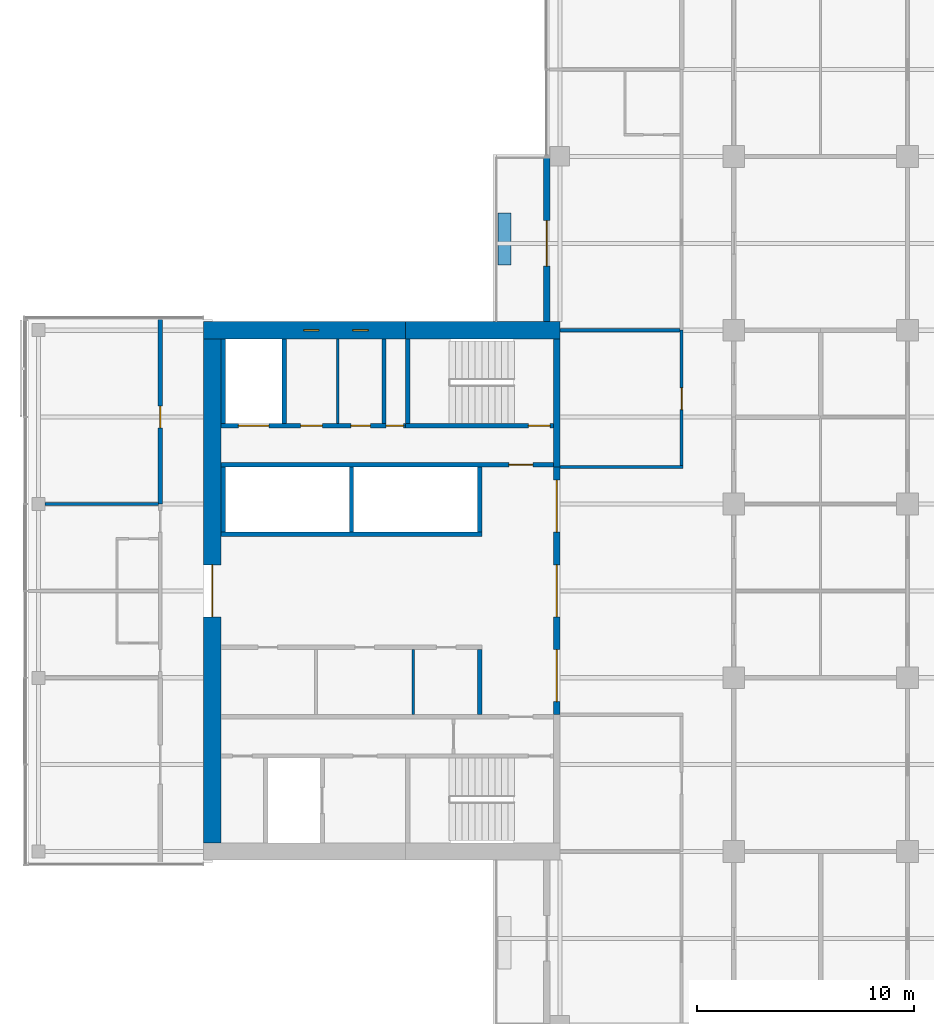
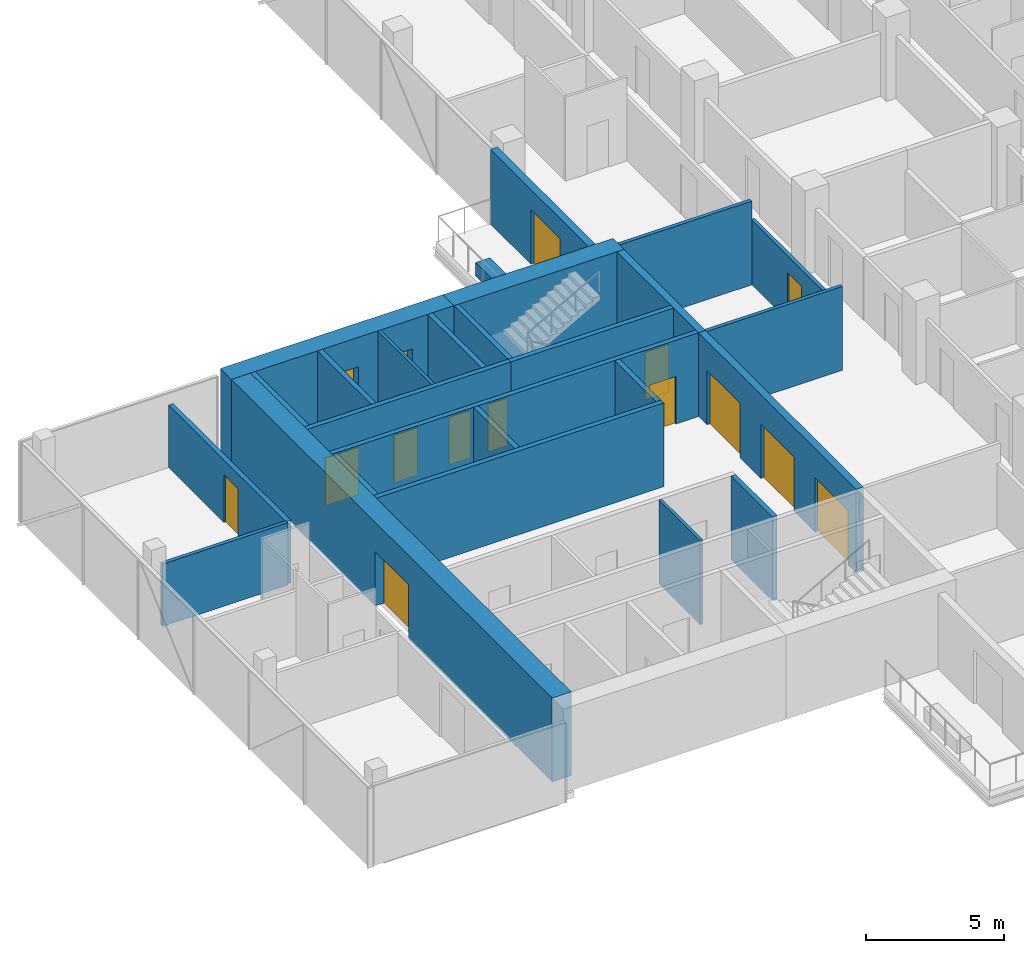
# One storey, part 18 of 27: 26 walls, 13 doors, 2 windows, 15 openings.
"""IFC4 building model written with IfcOpenShell, lengths in metres."""

from ifc_helpers import new_model, si_unit, direction, frame, frame_2d, origin, place, context, subcontext, project, spatial, rectangle, extrude, material, layer, layer_set, constituent, constituent_set, type_object, element, fill, save


model = new_model("IFC4")

# Units and contexts
model_context = context("Model", 3, precision=1e-05, world=origin(), true_north=direction((0.0, 1.0)))
body_context = subcontext(model_context, "Body", "Model", "MODEL_VIEW")
ifc_project = project(units=[si_unit("LENGTHUNIT", "METRE"), si_unit("AREAUNIT", "SQUARE_METRE"), si_unit("VOLUMEUNIT", "CUBIC_METRE"), si_unit("PLANEANGLEUNIT", "RADIAN"), si_unit("MASSUNIT", "GRAM", prefix="KILO")], contexts=[model_context])

# Site, building, storey
site_placement = place(None, origin())
site = spatial("IfcSite", under=ifc_project, at=site_placement, CompositionType="ELEMENT")
building_placement = place(site_placement, origin())
building = spatial("IfcBuilding", under=site, at=building_placement, Name="Crosswind Convention Tower", CompositionType="ELEMENT")
storey_placement = place(building_placement, frame((0.0, 0.0, 101.60009765625)))
storey = spatial("IfcBuildingStorey", under=building, at=storey_placement, Name="L20", CompositionType="ELEMENT", Elevation=101.60009765625)

# Walls
ifc_material_1 = material(Name="Concrete blockwork", Category="masonry")
ifc_layer_1 = layer(ifc_material_1, 0.199951171875)
ifc_layer_set_1 = layer_set([ifc_layer_1], Name="Blockwork partition wall 200")
wall_type_1 = type_object("IfcWallType", Name="Blockwork partition wall 200", PredefinedType="PARTITIONING", material=ifc_layer_set_1)
wall_1_placement = place(storey_placement, frame((104.89990234375, 111.60009765625, 0.0), z_axis=(0.0, 0.0, 1.0), x_axis=(0.0, -1.0, 0.0)))
element("IfcWall", 1, at=wall_1_placement, inside=storey, type_object=wall_type_1, Name="Wall MRSE W L20", PredefinedType="PARTITIONING", context=body_context, shape_type="SweptSolid", body=[
    extrude(rectangle(XDim=3.900146484375, YDim=0.199951171875, at=frame_2d((1.9501953125, 0.0))), origin(), (0.0, 0.0, 1.0), 3.699951171875),
])
ifc_material_2 = material(Name="Plasterboard partition", Category="gypsum")
ifc_layer_2 = layer(ifc_material_2, 0.14990234375)
ifc_layer_set_2 = layer_set([ifc_layer_2], Name="CORRIDOR WALL 150")
wall_type_2 = type_object("IfcWallType", Name="CORRIDOR WALL 150", PredefinedType="PARTITIONING", material=ifc_layer_set_2)
wall_2_placement = place(storey_placement, frame((113.0, 105.699951171875, 0.0), z_axis=(0.0, 0.0, 1.0), x_axis=(1.0, 0.0, 0.0)))
element("IfcWall", 2, at=wall_2_placement, inside=storey, type_object=wall_type_2, Name="Corridor Wall 31", PredefinedType="PARTITIONING", context=body_context, shape_type="SweptSolid", body=[
    extrude(rectangle(XDim=5.675048828125, YDim=0.14990234375, at=frame_2d((2.83740234375, 0.0))), origin(), (0.0, 0.0, 1.0), 3.699951171875),
])

# Wall, opening, door
wall_3_placement = place(storey_placement, frame((118.60009765625, 105.77490234375, 0.0), z_axis=(0.0, 0.0, 1.0), x_axis=(0.0, 1.0, 0.0)))
wall_3 = element("IfcWall", 3, at=wall_3_placement, inside=storey, type_object=wall_type_2, Name="Corridor Wall 60", PredefinedType="PARTITIONING", context=body_context, shape_type="SweptSolid", body=[
    extrude(rectangle(XDim=6.22509765625, YDim=0.14990234375, at=frame_2d((3.112548828125, 0.0))), origin(), (0.0, 0.0, 1.0), 2.8427734375),
])
opening_1_placement = place(wall_3_placement, frame((2.574951171875, 0.0, 0.0)))
opening_1 = element("IfcOpeningElement", 4, at=opening_1_placement, cuts=wall_3, Name="Opening 20.003", PredefinedType="OPENING", context=body_context, shape_type="SweptSolid", body=[
    extrude(rectangle(XDim=1.0, YDim=2.10009765625, at=frame_2d((0.5, 1.050048828125))), frame((0.0, 0.0849609375, 0.0), z_axis=(0.0, -1.0, 0.0), x_axis=(1.0, 0.0, 0.0)), (0.0, 0.0, 1.0), 0.169921875),
])
ifc_material_3 = material(Name="Timber fire door", Category="wood")
door_type_1 = type_object("IfcDoorType", Name="SERVICE ROOM DOOR 1000X2100", OperationType="NOTDEFINED", PredefinedType="DOOR", material=ifc_material_3)
door_1_placement = place(opening_1_placement, origin())
door_1 = element("IfcDoor", 5, at=door_1_placement, inside=storey, type_object=door_type_1, Name="Door 20.003", ObjectType="D3", OperationType="SINGLE_SWING_RIGHT", OverallHeight=2.10009765625, OverallWidth=1.0, PredefinedType="DOOR", context=body_context, shape_type="SweptSolid", body=[
    extrude(rectangle(XDim=1.0, YDim=2.10009765625, at=frame_2d((0.5, 1.050048828125))), frame((0.0, 0.02490234375, 0.0), z_axis=(0.0, -1.0, 0.0), x_axis=(1.0, 0.0, 0.0)), (0.0, 0.0, 1.0), 0.050048828125),
])
fill(opening_1, door_1)

ifc_material_4 = material(Name="Concrete C60/75", Category="concrete")
ifc_layer_3 = layer(ifc_material_4, 0.800048828125)
ifc_layer_set_3 = layer_set([ifc_layer_3], Name="Concrete C60/75")
wall_type_3 = type_object("IfcWallType", Name="Concrete core wall 800", PredefinedType="SHEAR", material=ifc_layer_set_3)
wall_4_placement = place(storey_placement, frame((97.0, 111.60009765625, 0.0), z_axis=(0.0, 0.0, 1.0), x_axis=(0.0, -1.0, 0.0)))
wall_4 = element("IfcWall", 6, at=wall_4_placement, inside=storey, type_object=wall_type_3, Name="Wall O W L20", PredefinedType="SHEAR", context=body_context, shape_type="SweptSolid", body=[
    extrude(rectangle(XDim=23.2001953125, YDim=0.800048828125, at=frame_2d((11.60009765625, 0.0))), origin(), (0.0, 0.0, 1.0), 3.699951171875),
])
opening_2_placement = place(wall_4_placement, frame((10.39990234375, 0.0, 0.0)))
opening_2 = element("IfcOpeningElement", 7, at=opening_2_placement, cuts=wall_4, Name="Opening D100", PredefinedType="OPENING", context=body_context, shape_type="SweptSolid", body=[
    extrude(rectangle(XDim=2.39990234375, YDim=2.39990234375, at=frame_2d((1.199951171875, 1.199951171875))), frame((0.0, 0.409912109375, 0.0), z_axis=(0.0, -1.0, 0.0), x_axis=(1.0, 0.0, 0.0)), (0.0, 0.0, 1.0), 0.820068359375),
])
ifc_material_5 = material(Name="Steel fire door with glazed vision panels", Category="steel")
door_type_2 = type_object("IfcDoorType", Name="Fire-rated double door 2400x2400", OperationType="DOUBLE_DOOR_SINGLE_SWING", PredefinedType="DOOR", material=ifc_material_5)
door_2_placement = place(opening_2_placement, origin())
door_2 = element("IfcDoor", 8, at=door_2_placement, inside=storey, type_object=door_type_2, Name="Lobby outer door L20", ObjectType="D100", OperationType="DOUBLE_DOOR_SINGLE_SWING", OverallHeight=2.39990234375, OverallWidth=2.39990234375, PredefinedType="DOOR", context=body_context, shape_type="SweptSolid", body=[
    extrude(rectangle(XDim=2.39990234375, YDim=2.39990234375, at=frame_2d((1.199951171875, 1.199951171875))), frame((0.0, 0.02490234375, 0.0), z_axis=(0.0, -1.0, 0.0), x_axis=(1.0, 0.0, 0.0)), (0.0, 0.0, 1.0), 0.050048828125),
])
fill(opening_2, door_2)

# Wall, openings, doors
ifc_material_6 = material(Name="Concrete C50/60", Category="concrete")
ifc_layer_4 = layer(ifc_material_6, 0.300048828125)
ifc_layer_set_4 = layer_set([ifc_layer_4], Name="Concrete C50/60")
wall_type_4 = type_object("IfcWallType", Name="Concrete inner core wall 300", PredefinedType="SHEAR", material=ifc_layer_set_4)
wall_5_placement = place(storey_placement, frame((112.85009765625, 105.699951171875, 0.0), z_axis=(0.0, 0.0, 1.0), x_axis=(0.0, -1.0, 0.0)))
wall_5 = element("IfcWall", 9, at=wall_5_placement, inside=storey, type_object=wall_type_4, Name="Wall SCR W L20", PredefinedType="SHEAR", context=body_context, shape_type="SweptSolid", body=[
    extrude(rectangle(XDim=11.39990234375, YDim=0.300048828125, at=frame_2d((5.699951171875, 0.0))), origin(), (0.0, 0.0, 1.0), 3.699951171875),
])
opening_3_placement = place(wall_5_placement, frame((0.60009765625, 0.0, 0.0)))
opening_3 = element("IfcOpeningElement", 10, at=opening_3_placement, cuts=wall_5, Name="Opening D100", PredefinedType="OPENING", context=body_context, shape_type="SweptSolid", body=[
    extrude(rectangle(XDim=2.39990234375, YDim=2.39990234375, at=frame_2d((1.199951171875, 1.199951171875))), frame((0.0, 0.159912109375, 0.0), z_axis=(0.0, -1.0, 0.0), x_axis=(1.0, 0.0, 0.0)), (0.0, 0.0, 1.0), 0.320068359375),
])
opening_4_placement = place(wall_5_placement, frame((4.5, 0.0, 0.0)))
opening_4 = element("IfcOpeningElement", 11, at=opening_4_placement, cuts=wall_5, Name="Opening D100", PredefinedType="OPENING", context=body_context, shape_type="SweptSolid", body=[
    extrude(rectangle(XDim=2.39990234375, YDim=2.39990234375, at=frame_2d((1.199951171875, 1.199951171875))), frame((0.0, 0.159912109375, 0.0), z_axis=(0.0, -1.0, 0.0), x_axis=(1.0, 0.0, 0.0)), (0.0, 0.0, 1.0), 0.320068359375),
])
opening_5_placement = place(wall_5_placement, frame((8.39990234375, 0.0, 0.0)))
opening_5 = element("IfcOpeningElement", 12, at=opening_5_placement, cuts=wall_5, Name="Opening D100", PredefinedType="OPENING", context=body_context, shape_type="SweptSolid", body=[
    extrude(rectangle(XDim=2.39990234375, YDim=2.39990234375, at=frame_2d((1.199951171875, 1.199951171875))), frame((0.0, 0.159912109375, 0.0), z_axis=(0.0, -1.0, 0.0), x_axis=(1.0, 0.0, 0.0)), (0.0, 0.0, 1.0), 0.320068359375),
])
door_3_placement = place(opening_3_placement, origin())
door_3 = element("IfcDoor", 13, at=door_3_placement, inside=storey, type_object=door_type_2, Name="Lobby door 1 L20", ObjectType="D100", OperationType="DOUBLE_DOOR_SINGLE_SWING", OverallHeight=2.39990234375, OverallWidth=2.39990234375, PredefinedType="DOOR", context=body_context, shape_type="SweptSolid", body=[
    extrude(rectangle(XDim=2.39990234375, YDim=2.39990234375, at=frame_2d((1.199951171875, 1.199951171875))), frame((0.0, 0.02490234375, 0.0), z_axis=(0.0, -1.0, 0.0), x_axis=(1.0, 0.0, 0.0)), (0.0, 0.0, 1.0), 0.050048828125),
])
fill(opening_3, door_3)
door_4_placement = place(opening_4_placement, origin())
door_4 = element("IfcDoor", 14, at=door_4_placement, inside=storey, type_object=door_type_2, Name="Lobby door 2 L20", ObjectType="D100", OperationType="DOUBLE_DOOR_SINGLE_SWING", OverallHeight=2.39990234375, OverallWidth=2.39990234375, PredefinedType="DOOR", context=body_context, shape_type="SweptSolid", body=[
    extrude(rectangle(XDim=2.39990234375, YDim=2.39990234375, at=frame_2d((1.199951171875, 1.199951171875))), frame((0.0, 0.02490234375, 0.0), z_axis=(0.0, -1.0, 0.0), x_axis=(1.0, 0.0, 0.0)), (0.0, 0.0, 1.0), 0.050048828125),
])
fill(opening_4, door_4)
door_5_placement = place(opening_5_placement, origin())
door_5 = element("IfcDoor", 15, at=door_5_placement, inside=storey, type_object=door_type_2, Name="Lobby door 3 L20", ObjectType="D100", OperationType="DOUBLE_DOOR_SINGLE_SWING", OverallHeight=2.39990234375, OverallWidth=2.39990234375, PredefinedType="DOOR", context=body_context, shape_type="SweptSolid", body=[
    extrude(rectangle(XDim=2.39990234375, YDim=2.39990234375, at=frame_2d((1.199951171875, 1.199951171875))), frame((0.0, 0.02490234375, 0.0), z_axis=(0.0, -1.0, 0.0), x_axis=(1.0, 0.0, 0.0)), (0.0, 0.0, 1.0), 0.050048828125),
])
fill(opening_5, door_5)

# Walls
wall_6_placement = place(storey_placement, frame((112.85009765625, 111.60009765625, 0.0), z_axis=(0.0, 0.0, 1.0), x_axis=(0.0, -1.0, 0.0)))
element("IfcWall", 16, at=wall_6_placement, inside=storey, type_object=wall_type_4, Name="Wall EM W L20", PredefinedType="SHEAR", context=body_context, shape_type="SweptSolid", body=[
    extrude(rectangle(XDim=5.900146484375, YDim=0.300048828125, at=frame_2d((2.9501953125, 0.0))), origin(), (0.0, 0.0, 1.0), 3.699951171875),
])
ifc_layer_5 = layer(ifc_material_6, 0.199951171875)
ifc_layer_set_5 = layer_set([ifc_layer_5], Name="Concrete C50/60")
wall_type_5 = type_object("IfcWallType", Name="Concrete shaft and stair wall 200", PredefinedType="SHEAR", material=ifc_layer_set_5)
for number, where, z_axis, x_axis, name in (
    (17, (109.300048828125, 97.300048828125, 0.0), (0.0, 0.0, 1.0), (0.0, -1.0, 0.0), "Wall RPEND W L20"),
    (18, (109.300048828125, 105.699951171875, 0.0), (0.0, 0.0, 1.0), (0.0, -1.0, 0.0), "Wall RMEND W L20"),
    (19, (103.39990234375, 105.699951171875, 0.0), (0.0, 0.0, 1.0), (0.0, -1.0, 0.0), "Wall RMSEP W L20"),
    (20, (97.5, 105.699951171875, 0.0), (0.0, 0.0, 1.0), (0.0, -1.0, 0.0), "Wall RMEAST W L20"),
):
    element("IfcWall", number, at=place(storey_placement, frame(where, z_axis=z_axis, x_axis=x_axis)), inside=storey, type_object=wall_type_5, Name=name, PredefinedType="SHEAR", context=body_context, shape_type="SweptSolid", body=[
        extrude(rectangle(XDim=3.0, YDim=0.199951171875, at=frame_2d((1.5, 0.0))), origin(), (0.0, 0.0, 1.0), 3.699951171875),
    ])
wall_7_placement = place(storey_placement, frame((109.39990234375, 102.60009765625, 0.0), z_axis=(0.0, 0.0, 1.0), x_axis=(-1.0, 0.0, 0.0)))
element("IfcWall", 21, at=wall_7_placement, inside=storey, type_object=wall_type_5, Name="Wall RMFRONT W L20", PredefinedType="SHEAR", context=body_context, shape_type="SweptSolid", body=[
    extrude(rectangle(XDim=12.0, YDim=0.199951171875, at=frame_2d((6.0, 0.0))), origin(), (0.0, 0.0, 1.0), 3.699951171875),
])

# Wall, opening, door
wall_8_placement = place(storey_placement, frame((112.699951171875, 105.800048828125, 0.0), z_axis=(0.0, 0.0, 1.0), x_axis=(-1.0, 0.0, 0.0)))
wall_8 = element("IfcWall", 22, at=wall_8_placement, inside=storey, type_object=wall_type_5, Name="Wall HM W L20", PredefinedType="SHEAR", context=body_context, shape_type="SweptSolid", body=[
    extrude(rectangle(XDim=15.300048828125, YDim=0.199951171875, at=frame_2d((7.64990234375, 0.0))), origin(), (0.0, 0.0, 1.0), 3.699951171875),
])
opening_6_placement = place(wall_8_placement, frame((0.949951171875, 0.0, 0.0)))
opening_6 = element("IfcOpeningElement", 23, at=opening_6_placement, cuts=wall_8, Name="Opening D104", PredefinedType="OPENING", context=body_context, shape_type="SweptSolid", body=[
    extrude(rectangle(XDim=1.10009765625, YDim=2.10009765625, at=frame_2d((0.550048828125, 1.050048828125))), frame((0.0, 0.10986328125, 0.0), z_axis=(0.0, -1.0, 0.0), x_axis=(1.0, 0.0, 0.0)), (0.0, 0.0, 1.0), 0.219970703125),
])
ifc_material_7 = material(Name="Steel fire door", Category="steel")
door_type_3 = type_object("IfcDoorType", Name="Fire-rated single door 1100x2100", OperationType="NOTDEFINED", PredefinedType="DOOR", material=ifc_material_7)
door_6_placement = place(opening_6_placement, origin())
door_6 = element("IfcDoor", 24, at=door_6_placement, inside=storey, type_object=door_type_3, Name="Corridor door L20", ObjectType="D104", OperationType="SINGLE_SWING_LEFT", OverallHeight=2.10009765625, OverallWidth=1.10009765625, PredefinedType="DOOR", context=body_context, shape_type="SweptSolid", body=[
    extrude(rectangle(XDim=1.10009765625, YDim=2.10009765625, at=frame_2d((0.550048828125, 1.050048828125))), frame((0.0, 0.02490234375, 0.0), z_axis=(0.0, -1.0, 0.0), x_axis=(1.0, 0.0, 0.0)), (0.0, 0.0, 1.0), 0.050048828125),
])
fill(opening_6, door_6)

# Walls
for number, where, z_axis, x_axis, name in (
    (25, (106.0, 111.60009765625, 0.0), (0.0, 0.0, 1.0), (0.0, -1.0, 0.0), "Wall MSE W L20"),
    (26, (100.300048828125, 111.60009765625, 0.0), (0.0, 0.0, 1.0), (0.0, -1.0, 0.0), "Wall MFSW W L20"),
    (27, (97.5, 111.60009765625, 0.0), (0.0, 0.0, 1.0), (0.0, -1.0, 0.0), "Wall MFSE W L20"),
):
    element("IfcWall", number, at=place(storey_placement, frame(where, z_axis=z_axis, x_axis=x_axis)), inside=storey, type_object=wall_type_5, Name=name, PredefinedType="SHEAR", context=body_context, shape_type="SweptSolid", body=[
        extrude(rectangle(XDim=3.900146484375, YDim=0.199951171875, at=frame_2d((1.9501953125, 0.0))), origin(), (0.0, 0.0, 1.0), 3.699951171875),
    ])

# Wall, opening, door
wall_9_placement = place(storey_placement, frame((112.699951171875, 107.60009765625, 0.0), z_axis=(0.0, 0.0, 1.0), x_axis=(-1.0, 0.0, 0.0)))
wall_9 = element("IfcWall", 28, at=wall_9_placement, inside=storey, type_object=wall_type_5, Name="Wall MCW W L20", PredefinedType="SHEAR", context=body_context, shape_type="SweptSolid", body=[
    extrude(rectangle(XDim=6.800048828125, YDim=0.199951171875, at=frame_2d((3.39990234375, 0.0))), origin(), (0.0, 0.0, 1.0), 3.699951171875),
])
opening_7_placement = place(wall_9_placement, frame((0.14990234375, 0.0, 0.0)))
opening_7 = element("IfcOpeningElement", 29, at=opening_7_placement, cuts=wall_9, Name="Opening D103", PredefinedType="OPENING", context=body_context, shape_type="SweptSolid", body=[
    extrude(rectangle(XDim=1.0, YDim=2.10009765625, at=frame_2d((0.5, 1.050048828125))), frame((0.0, 0.10986328125, 0.0), z_axis=(0.0, -1.0, 0.0), x_axis=(1.0, 0.0, 0.0)), (0.0, 0.0, 1.0), 0.219970703125),
])
door_type_4 = type_object("IfcDoorType", Name="Fire-rated single door 1000x2100", OperationType="NOTDEFINED", PredefinedType="DOOR", material=ifc_material_7)
door_7_placement = place(opening_7_placement, frame((1.0, 0.0, 0.0), z_axis=(0.0, 0.0, 1.0), x_axis=(-1.0, 0.0, 0.0)))
door_7 = element("IfcDoor", 30, at=door_7_placement, inside=storey, type_object=door_type_4, Name="Stair ST4 door L20", ObjectType="D103", OperationType="SINGLE_SWING_RIGHT", OverallHeight=2.10009765625, OverallWidth=1.0, PredefinedType="DOOR", context=body_context, shape_type="SweptSolid", body=[
    extrude(rectangle(XDim=1.0, YDim=2.10009765625, at=frame_2d((0.5, 1.050048828125))), frame((0.0, 0.02490234375, 0.0), z_axis=(0.0, -1.0, 0.0), x_axis=(1.0, 0.0, 0.0)), (0.0, 0.0, 1.0), 0.050048828125),
])
fill(opening_7, door_7)

# Wall, openings, doors
wall_10_placement = place(storey_placement, frame((105.89990234375, 107.60009765625, 0.0), z_axis=(0.0, 0.0, 1.0), x_axis=(-1.0, 0.0, 0.0)))
wall_10 = element("IfcWall", 31, at=wall_10_placement, inside=storey, type_object=wall_type_5, Name="Wall MCX W L20", PredefinedType="SHEAR", context=body_context, shape_type="SweptSolid", body=[
    extrude(rectangle(XDim=8.5, YDim=0.199951171875, at=frame_2d((4.25, 0.0))), origin(), (0.0, 0.0, 1.0), 3.699951171875),
])
opening_8_placement = place(wall_10_placement, frame((0.10009765625, 0.0, 0.0)))
opening_8 = element("IfcOpeningElement", 32, at=opening_8_placement, cuts=wall_10, Name="Opening D105", PredefinedType="OPENING", context=body_context, shape_type="SweptSolid", body=[
    extrude(rectangle(XDim=0.800048828125, YDim=2.10009765625, at=frame_2d((0.39990234375, 1.050048828125))), frame((0.0, 0.10986328125, 0.0), z_axis=(0.0, -1.0, 0.0), x_axis=(1.0, 0.0, 0.0)), (0.0, 0.0, 1.0), 0.219970703125),
])
opening_9_placement = place(wall_10_placement, frame((1.630859375, 0.0, 0.0)))
opening_9 = element("IfcOpeningElement", 33, at=opening_9_placement, cuts=wall_10, Name="Opening D106", PredefinedType="OPENING", context=body_context, shape_type="SweptSolid", body=[
    extrude(rectangle(XDim=0.89990234375, YDim=2.10009765625, at=frame_2d((0.449951171875, 1.050048828125))), frame((0.0, 0.10986328125, 0.0), z_axis=(0.0, -1.0, 0.0), x_axis=(1.0, 0.0, 0.0)), (0.0, 0.0, 1.0), 0.219970703125),
])
opening_10_placement = place(wall_10_placement, frame((3.84326171875, 0.0, 0.0)))
opening_10 = element("IfcOpeningElement", 34, at=opening_10_placement, cuts=wall_10, Name="Opening D103", PredefinedType="OPENING", context=body_context, shape_type="SweptSolid", body=[
    extrude(rectangle(XDim=1.0, YDim=2.10009765625, at=frame_2d((0.5, 1.050048828125))), frame((0.0, 0.10986328125, 0.0), z_axis=(0.0, -1.0, 0.0), x_axis=(1.0, 0.0, 0.0)), (0.0, 0.0, 1.0), 0.219970703125),
])
opening_11_placement = place(wall_10_placement, frame((6.300048828125, 0.0, 0.0)))
opening_11 = element("IfcOpeningElement", 35, at=opening_11_placement, cuts=wall_10, Name="Opening LD2", PredefinedType="OPENING", context=body_context, shape_type="SweptSolid", body=[
    extrude(rectangle(XDim=1.39990234375, YDim=2.10009765625, at=frame_2d((0.699951171875, 1.050048828125))), frame((0.0, 0.10986328125, 0.0), z_axis=(0.0, -1.0, 0.0), x_axis=(1.0, 0.0, 0.0)), (0.0, 0.0, 1.0), 0.219970703125),
])
door_8_placement = place(opening_10_placement, frame((1.0, 0.0, 0.0), z_axis=(0.0, 0.0, 1.0), x_axis=(-1.0, 0.0, 0.0)))
door_8 = element("IfcDoor", 36, at=door_8_placement, inside=storey, type_object=door_type_4, Name="Door to accessible wc L20", ObjectType="D103", OperationType="SINGLE_SWING_LEFT", OverallHeight=2.10009765625, OverallWidth=1.0, PredefinedType="DOOR", context=body_context, shape_type="SweptSolid", body=[
    extrude(rectangle(XDim=1.0, YDim=2.10009765625, at=frame_2d((0.5, 1.050048828125))), frame((0.0, 0.02490234375, 0.0), z_axis=(0.0, -1.0, 0.0), x_axis=(1.0, 0.0, 0.0)), (0.0, 0.0, 1.0), 0.050048828125),
])
fill(opening_10, door_8)
ifc_material_8 = material(Name="Stainless steel", Category="steel")
door_type_5 = type_object("IfcDoorType", Name="Lift landing door 1400x2100", OperationType="DOUBLE_DOOR_SLIDING", PredefinedType="DOOR", material=ifc_material_8)
door_9_placement = place(opening_11_placement, origin())
door_9 = element("IfcDoor", 37, at=door_9_placement, inside=storey, type_object=door_type_5, Name="Landing door SV2 L20", ObjectType="LD2", OperationType="DOUBLE_DOOR_SLIDING", OverallHeight=2.10009765625, OverallWidth=1.39990234375, PredefinedType="DOOR", context=body_context, shape_type="SweptSolid", body=[
    extrude(rectangle(XDim=1.39990234375, YDim=2.10009765625, at=frame_2d((0.699951171875, 1.050048828125))), frame((0.0, 0.02490234375, 0.0), z_axis=(0.0, -1.0, 0.0), x_axis=(1.0, 0.0, 0.0)), (0.0, 0.0, 1.0), 0.050048828125),
])
fill(opening_11, door_9)
door_type_6 = type_object("IfcDoorType", Name="Riser access door 800x2100", OperationType="NOTDEFINED", PredefinedType="DOOR", material=ifc_material_7)
door_10_placement = place(opening_8_placement, frame((0.800048828125, 0.0, 0.0), z_axis=(0.0, 0.0, 1.0), x_axis=(-1.0, 0.0, 0.0)))
door_10 = element("IfcDoor", 38, at=door_10_placement, inside=storey, type_object=door_type_6, Name="Riser door L20", ObjectType="D105", OperationType="SINGLE_SWING_LEFT", OverallHeight=2.10009765625, OverallWidth=0.800048828125, PredefinedType="DOOR", context=body_context, shape_type="SweptSolid", body=[
    extrude(rectangle(XDim=0.800048828125, YDim=2.10009765625, at=frame_2d((0.39990234375, 1.050048828125))), frame((0.0, 0.02490234375, 0.0), z_axis=(0.0, -1.0, 0.0), x_axis=(1.0, 0.0, 0.0)), (0.0, 0.0, 1.0), 0.050048828125),
])
fill(opening_8, door_10)
ifc_material_9 = material(Name="Timber door", Category="wood")
door_type_7 = type_object("IfcDoorType", Name="Single leaf door 900x2100", OperationType="NOTDEFINED", PredefinedType="DOOR", material=ifc_material_9)
door_11_placement = place(opening_9_placement, frame((0.89990234375, 0.0, 0.0), z_axis=(0.0, 0.0, 1.0), x_axis=(-1.0, 0.0, 0.0)))
door_11 = element("IfcDoor", 39, at=door_11_placement, inside=storey, type_object=door_type_7, Name="Door to wc L20", ObjectType="D106", OperationType="SINGLE_SWING_LEFT", OverallHeight=2.10009765625, OverallWidth=0.89990234375, PredefinedType="DOOR", context=body_context, shape_type="SweptSolid", body=[
    extrude(rectangle(XDim=0.89990234375, YDim=2.10009765625, at=frame_2d((0.449951171875, 1.050048828125))), frame((0.0, 0.02490234375, 0.0), z_axis=(0.0, -1.0, 0.0), x_axis=(1.0, 0.0, 0.0)), (0.0, 0.0, 1.0), 0.050048828125),
])
fill(opening_9, door_11)

# Walls
ifc_material_10 = material(Name="Gypsum plasterboard partition", Category="gypsum")
ifc_layer_6 = layer(ifc_material_10, 0.125)
ifc_layer_set_6 = layer_set([ifc_layer_6], Name="Drywall partition wall 125")
wall_type_6 = type_object("IfcWallType", Name="Drywall partition wall 125", PredefinedType="PARTITIONING", material=ifc_layer_set_6)
wall_11_placement = place(storey_placement, frame((106.25, 97.300048828125, 0.0), z_axis=(0.0, 0.0, 1.0), x_axis=(0.0, -1.0, 0.0)))
element("IfcWall", 40, at=wall_11_placement, inside=storey, type_object=wall_type_6, Name="Wall RPP1 W L20", PredefinedType="PARTITIONING", context=body_context, shape_type="SweptSolid", body=[
    extrude(rectangle(XDim=3.0, YDim=0.125, at=frame_2d((1.5, 0.0))), origin(), (0.0, 0.0, 1.0), 3.699951171875),
])
wall_12_placement = place(storey_placement, frame((102.77587890625, 111.60009765625, 0.0), z_axis=(0.0, 0.0, 1.0), x_axis=(0.0, -1.0, 0.0)))
element("IfcWall", 41, at=wall_12_placement, inside=storey, type_object=wall_type_6, Name="Wall MWP1 W L20", PredefinedType="PARTITIONING", context=body_context, shape_type="SweptSolid", body=[
    extrude(rectangle(XDim=3.900146484375, YDim=0.125, at=frame_2d((1.9501953125, 0.0))), origin(), (0.0, 0.0, 1.0), 3.699951171875),
])
ifc_material_11 = material(Name="Acoustic plasterboard partition", Category="gypsum")
ifc_layer_7 = layer(ifc_material_11, 0.14990234375)
ifc_layer_set_7 = layer_set([ifc_layer_7], Name="GUEST ROOM WALL 150")
wall_type_7 = type_object("IfcWallType", Name="GUEST ROOM WALL 150", PredefinedType="PARTITIONING", material=ifc_layer_set_7)
wall_13_placement = place(storey_placement, frame((89.300048828125, 104.0, 0.0), z_axis=(0.0, 0.0, 1.0), x_axis=(1.0, 0.0, 0.0)))
element("IfcWall", 42, at=wall_13_placement, inside=storey, type_object=wall_type_7, Name="Guest Room Wall 29", PredefinedType="PARTITIONING", context=body_context, shape_type="SweptSolid", body=[
    extrude(rectangle(XDim=5.224853515625, YDim=0.14990234375, at=frame_2d((2.6123046875, 0.0))), origin(), (0.0, 0.0, 1.0), 2.75537109375),
])
wall_14_placement = place(storey_placement, frame((113.0, 112.0, 0.0), z_axis=(0.0, 0.0, 1.0), x_axis=(1.0, 0.0, 0.0)))
element("IfcWall", 43, at=wall_14_placement, inside=storey, type_object=wall_type_7, Name="Guest Room Wall 35", PredefinedType="PARTITIONING", context=body_context, shape_type="SweptSolid", body=[
    extrude(rectangle(XDim=5.52490234375, YDim=0.14990234375, at=frame_2d((2.762451171875, 0.0))), origin(), (0.0, 0.0, 1.0), 3.699951171875),
])

# Wall, opening, door
ifc_material_12 = material(Name="Double plasterboard partition", Category="gypsum")
ifc_layer_8 = layer(ifc_material_12, 0.199951171875)
ifc_layer_set_8 = layer_set([ifc_layer_8], Name="HALL WALL 200")
wall_type_8 = type_object("IfcWallType", Name="HALL WALL 200", PredefinedType="PARTITIONING", material=ifc_layer_set_8)
wall_15_placement = place(storey_placement, frame((94.60009765625, 104.0, 0.0), z_axis=(0.0, 0.0, 1.0), x_axis=(0.0, 1.0, 0.0)))
wall_15 = element("IfcWall", 44, at=wall_15_placement, inside=storey, type_object=wall_type_8, Name="Hall Wall 53", PredefinedType="PARTITIONING", context=body_context, shape_type="SweptSolid", body=[
    extrude(rectangle(XDim=8.5, YDim=0.199951171875, at=frame_2d((4.25, 0.0))), origin(), (0.0, 0.0, 1.0), 2.75537109375),
])
opening_12_placement = place(wall_15_placement, frame((3.5, 0.0, 0.0)))
opening_12 = element("IfcOpeningElement", 45, at=opening_12_placement, cuts=wall_15, Name="Opening 20.036", PredefinedType="OPENING", context=body_context, shape_type="SweptSolid", body=[
    extrude(rectangle(XDim=1.0, YDim=2.10009765625, at=frame_2d((0.5, 1.050048828125))), frame((0.0, 0.10986328125, 0.0), z_axis=(0.0, -1.0, 0.0), x_axis=(1.0, 0.0, 0.0)), (0.0, 0.0, 1.0), 0.219970703125),
])
door_type_8 = type_object("IfcDoorType", Name="MEETING ROOM DOOR 1000X2100", OperationType="NOTDEFINED", PredefinedType="DOOR", material=ifc_material_3)
door_12_placement = place(opening_12_placement, origin())
door_12 = element("IfcDoor", 46, at=door_12_placement, inside=storey, type_object=door_type_8, Name="Door 20.036", ObjectType="D13", OperationType="SINGLE_SWING_LEFT", OverallHeight=2.10009765625, OverallWidth=1.0, PredefinedType="DOOR", context=body_context, shape_type="SweptSolid", body=[
    extrude(rectangle(XDim=1.0, YDim=2.10009765625, at=frame_2d((0.5, 1.050048828125))), frame((0.0, 0.02490234375, 0.0), z_axis=(0.0, -1.0, 0.0), x_axis=(1.0, 0.0, 0.0)), (0.0, 0.0, 1.0), 0.050048828125),
])
fill(opening_12, door_12)

# Wall
ifc_material_13 = material(Name="Concrete C30/37", Category="concrete")
ifc_layer_9 = layer(ifc_material_13, 0.60009765625)
ifc_layer_set_9 = layer_set([ifc_layer_9], Name="Concrete C30/37")
wall_type_9 = type_object("IfcWallType", Name="PLANTER BOX WALL 600", PredefinedType="SOLIDWALL", material=ifc_layer_set_9)
wall_16_placement = place(storey_placement, frame((110.449951171875, 117.39990234375, 0.0), z_axis=(0.0, 0.0, 1.0), x_axis=(0.0, -1.0, 0.0)))
element("IfcWall", 47, at=wall_16_placement, inside=storey, type_object=wall_type_9, Name="PLANTER L20 N-W.1-3", PredefinedType="SOLIDWALL", context=body_context, shape_type="SweptSolid", body=[
    extrude(rectangle(XDim=2.39990234375, YDim=0.60009765625, at=frame_2d((1.199951171875, 0.0))), origin(), (0.0, 0.0, 1.0), 0.599853515625),
])

# Wall, opening, door
ifc_material_14 = material(Name="Terracotta rainscreen", Category="ceramic")
ifc_layer_10 = layer(ifc_material_14, 0.02001953125)
ifc_material_15 = material(Name="Mineral wool insulation", Category="insulation")
ifc_layer_11 = layer(ifc_material_15, 0.10009765625)
ifc_layer_12 = layer(ifc_material_1, 0.179931640625)
ifc_layer_set_10 = layer_set([ifc_layer_10, ifc_layer_11, ifc_layer_12], Name="TERRACOTTA INFILL WALL 300")
wall_type_10 = type_object("IfcWallType", Name="TERRACOTTA INFILL WALL 300", PredefinedType="SOLIDWALL", material=ifc_layer_set_10)
wall_17_placement = place(storey_placement, frame((112.39990234375, 119.967529296875, 0.0), z_axis=(0.0, 0.0, 1.0), x_axis=(0.0, -1.0, 0.0)))
wall_17 = element("IfcWall", 48, at=wall_17_placement, inside=storey, type_object=wall_type_10, Name="Notch front wall L20 N-W.1-3", PredefinedType="SOLIDWALL", context=body_context, shape_type="SweptSolid", body=[
    extrude(rectangle(XDim=7.567626953125, YDim=0.300048828125, at=frame_2d((3.78369140625, 0.0))), origin(), (0.0, 0.0, 1.0), 3.2998046875),
])
opening_13_placement = place(wall_17_placement, frame((2.91748046875, 0.0, 0.0)))
opening_13 = element("IfcOpeningElement", 49, at=opening_13_placement, cuts=wall_17, Name="Opening D141", PredefinedType="OPENING", context=body_context, shape_type="SweptSolid", body=[
    extrude(rectangle(XDim=2.10009765625, YDim=2.39990234375, at=frame_2d((1.050048828125, 1.199951171875))), frame((0.0, 0.159912109375, 0.0), z_axis=(0.0, -1.0, 0.0), x_axis=(1.0, 0.0, 0.0)), (0.0, 0.0, 1.0), 0.320068359375),
])
ifc_material_16 = material(Name="Aluminium glazed door", Category="aluminium")
door_type_9 = type_object("IfcDoorType", Name="BALCONY SLIDING DOOR 2100X2400", OperationType="SLIDING_TO_LEFT", PredefinedType="DOOR", material=ifc_material_16)
door_13_placement = place(opening_13_placement, frame((2.10009765625, 0.0, 0.0), z_axis=(0.0, 0.0, 1.0), x_axis=(-1.0, 0.0, 0.0)))
door_13 = element("IfcDoor", 50, at=door_13_placement, inside=storey, type_object=door_type_9, Name="D141 balcony door L20 N-W.1-3", ObjectType="D141", OperationType="SLIDING_TO_LEFT", OverallHeight=2.39990234375, OverallWidth=2.10009765625, PredefinedType="DOOR", context=body_context, shape_type="SweptSolid", body=[
    extrude(rectangle(XDim=2.10009765625, YDim=2.39990234375, at=frame_2d((1.050048828125, 1.199951171875))), frame((0.0, 0.02490234375, 0.0), z_axis=(0.0, -1.0, 0.0), x_axis=(1.0, 0.0, 0.0)), (0.0, 0.0, 1.0), 0.050048828125),
])
fill(opening_13, door_13)

# Wall
ifc_constituent_1 = constituent(ifc_material_4, Name="Structure")
ifc_constituent_2 = constituent(ifc_material_14, Name="Facing")
ifc_constituent_set = constituent_set(constituents=[ifc_constituent_1, ifc_constituent_2], Name="Concrete C60/75, Terracotta rainscreen")
wall_type_11 = type_object("IfcWallType", Name="Terracotta rainscreen on concrete core wall 800", PredefinedType="SHEAR", material=ifc_constituent_set)
wall_18_placement = place(storey_placement, frame((113.0, 112.0, 0.0), z_axis=(0.0, 0.0, 1.0), x_axis=(-1.0, 0.0, 0.0)))
element("IfcWall", 51, at=wall_18_placement, inside=storey, type_object=wall_type_11, Name="Wall S1 W L20", PredefinedType="SHEAR", context=body_context, shape_type="SweptSolid", body=[
    extrude(rectangle(XDim=7.10009765625, YDim=0.800048828125, at=frame_2d((3.550048828125, 0.0))), origin(), (0.0, 0.0, 1.0), 3.699951171875),
])

# Wall, openings, windows
wall_19_placement = place(storey_placement, frame((105.89990234375, 112.0, 0.0), z_axis=(0.0, 0.0, 1.0), x_axis=(-1.0, 0.0, 0.0)))
wall_19 = element("IfcWall", 52, at=wall_19_placement, inside=storey, type_object=wall_type_11, Name="Wall S2 W L20", PredefinedType="SHEAR", context=body_context, shape_type="SweptSolid", body=[
    extrude(rectangle(XDim=9.2998046875, YDim=0.800048828125, at=frame_2d((4.64990234375, 0.0))), origin(), (0.0, 0.0, 1.0), 3.699951171875),
])
opening_14_placement = place(wall_19_placement, frame((1.730712890625, 0.0, 1.5)))
opening_14 = element("IfcOpeningElement", 53, at=opening_14_placement, cuts=wall_19, Name="Opening W2", PredefinedType="OPENING", context=body_context, shape_type="SweptSolid", body=[
    extrude(rectangle(XDim=0.699951171875, YDim=0.89990234375, at=frame_2d((0.35009765625, 0.449951171875))), frame((0.0, 0.409912109375, 0.0), z_axis=(0.0, -1.0, 0.0), x_axis=(1.0, 0.0, 0.0)), (0.0, 0.0, 1.0), 0.820068359375),
])
opening_15_placement = place(wall_19_placement, frame((3.9931640625, 0.0, 1.5)))
opening_15 = element("IfcOpeningElement", 54, at=opening_15_placement, cuts=wall_19, Name="Opening W2", PredefinedType="OPENING", context=body_context, shape_type="SweptSolid", body=[
    extrude(rectangle(XDim=0.699951171875, YDim=0.89990234375, at=frame_2d((0.35009765625, 0.449951171875))), frame((0.0, 0.409912109375, 0.0), z_axis=(0.0, -1.0, 0.0), x_axis=(1.0, 0.0, 0.0)), (0.0, 0.0, 1.0), 0.820068359375),
])
ifc_material_17 = material(Name="Obscure glass in aluminium frame", Category="aluminium")
window_type = type_object("IfcWindowType", Name="WC window 700x900", PartitioningType="SINGLE_PANEL", PredefinedType="WINDOW", material=ifc_material_17)
window_1_placement = place(opening_14_placement, origin())
window_1 = element("IfcWindow", 55, at=window_1_placement, inside=storey, type_object=window_type, Name="WC window L20", ObjectType="W2", OverallHeight=0.89990234375, OverallWidth=0.699951171875, PartitioningType="SINGLE_PANEL", PredefinedType="WINDOW", context=body_context, shape_type="SweptSolid", body=[
    extrude(rectangle(XDim=0.699951171875, YDim=0.89990234375, at=frame_2d((0.35009765625, 0.449951171875))), frame((0.0, 0.030029296875, 0.0), z_axis=(0.0, -1.0, 0.0), x_axis=(1.0, 0.0, 0.0)), (0.0, 0.0, 1.0), 0.06005859375),
])
fill(opening_14, window_1)
window_2_placement = place(opening_15_placement, origin())
window_2 = element("IfcWindow", 56, at=window_2_placement, inside=storey, type_object=window_type, Name="WC window L20", ObjectType="W2", OverallHeight=0.89990234375, OverallWidth=0.699951171875, PartitioningType="SINGLE_PANEL", PredefinedType="WINDOW", context=body_context, shape_type="SweptSolid", body=[
    extrude(rectangle(XDim=0.699951171875, YDim=0.89990234375, at=frame_2d((0.35009765625, 0.449951171875))), frame((0.0, 0.030029296875, 0.0), z_axis=(0.0, -1.0, 0.0), x_axis=(1.0, 0.0, 0.0)), (0.0, 0.0, 1.0), 0.06005859375),
])
fill(opening_15, window_2)

save(model, "model.ifc")
